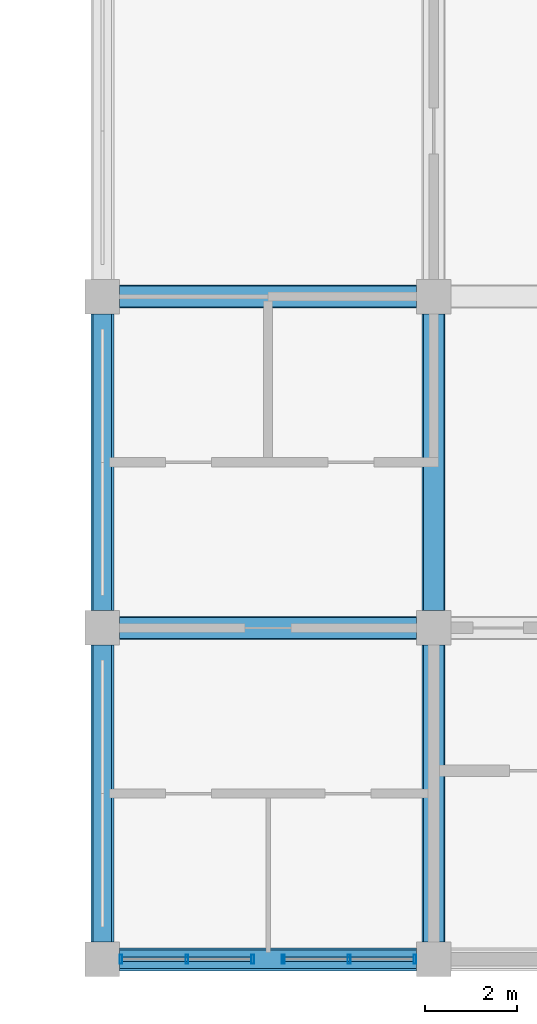
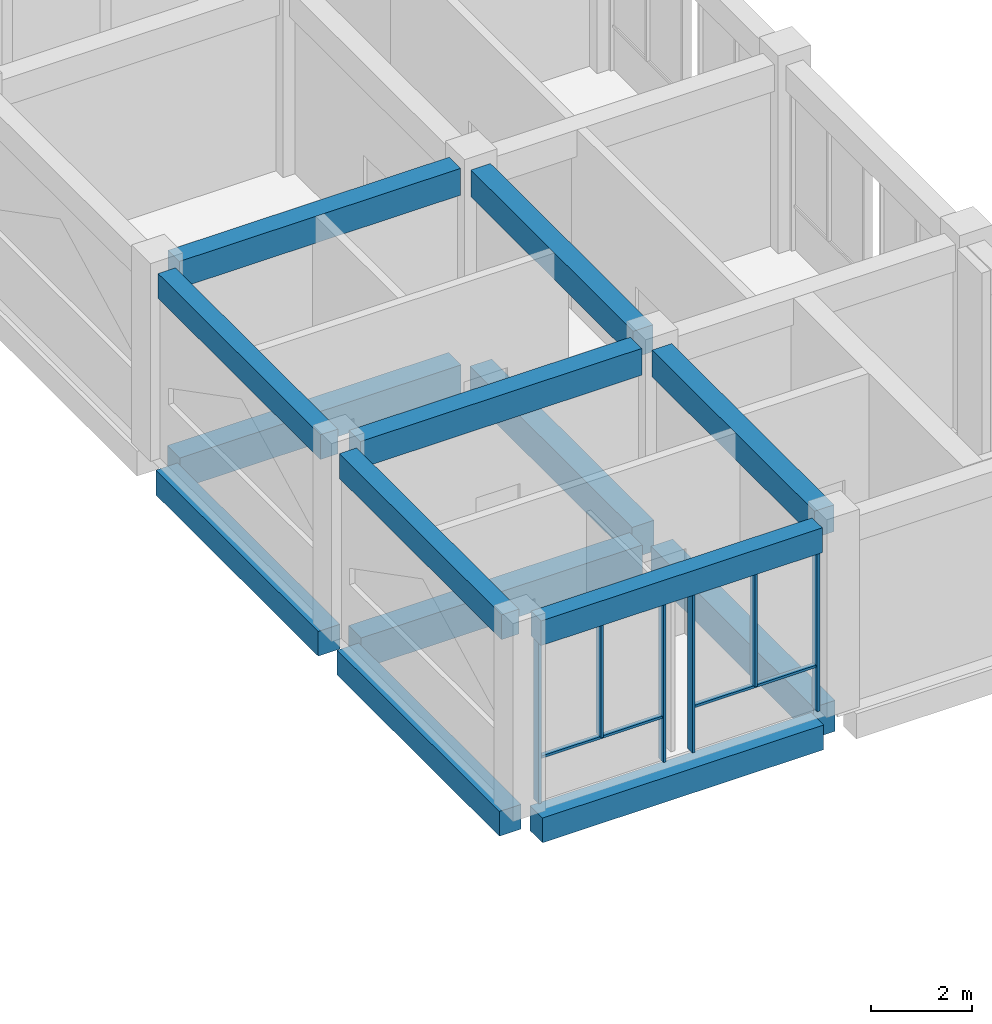
# One storey, part 15 of 39: 14 beams, 8 members, 2 elements without a shape of their own.
"""IFC4 building model written with IfcOpenShell, lengths in metres."""

from ifc_helpers import new_model, si_unit, direction, frame, origin, origin_2d, place, context, subcontext, project, spatial, rectangle, hollow_rectangle, extrude, material, material_profile, profile_set, type_object, element, aggregate, save


model = new_model("IFC4")

# Units and contexts
model_context = context("Model", 3, precision=1e-05, world=origin(), true_north=direction((0.0, 1.0)))
body_context = subcontext(model_context, "Body", "Model", "MODEL_VIEW")
ifc_project = project(units=[si_unit("LENGTHUNIT", "METRE"), si_unit("AREAUNIT", "SQUARE_METRE"), si_unit("VOLUMEUNIT", "CUBIC_METRE"), si_unit("PLANEANGLEUNIT", "RADIAN"), si_unit("MASSUNIT", "GRAM", prefix="KILO")], contexts=[model_context])

# Site, building, storey
site_placement = place(None, origin())
site = spatial("IfcSite", under=ifc_project, at=site_placement, CompositionType="ELEMENT")
building_placement = place(site_placement, origin())
building = spatial("IfcBuilding", under=site, at=building_placement, Name="Silangan Lancet Faculty of Sciences", CompositionType="ELEMENT")
storey_placement = place(building_placement, frame((0.0, 0.0, 26.39990234375)))
storey = spatial("IfcBuildingStorey", under=building, at=storey_placement, Name="L05", CompositionType="ELEMENT", Elevation=26.39990234375)

# Beams
ifc_material_1 = material(Name="Concrete C40/50", Category="concrete")
ifc_material_profile_1 = material_profile(ifc_material_1, rectangle(XDim=0.39990234375, YDim=0.60009765625, at=origin_2d()), Name="RC 400x600")
ifc_profile_set_1 = profile_set([ifc_material_profile_1], Name="Concrete C40/50")
beam_type_1 = type_object("IfcBeamType", Name="BEAM RC 400x600", PredefinedType="BEAM", material=ifc_profile_set_1)
for number, where, z_axis, x_axis, name in (
    (1, (72.375, 0.0, 4.2001953125), (1.0, 0.0, 0.0), (0.0, 1.0, 0.0), "RB-L05-11A-12A"),
    (2, (72.0, 0.375, 4.2001953125), (0.0, 1.0, 0.0), (-1.0, 0.0, 0.0), "RB-L05-11A-11B"),
    (3, (72.0, 7.574951171875, 4.2001953125), (0.0, 1.0, 0.0), (-1.0, 0.0, 0.0), "RB-L05-11B-11C"),
):
    element("IfcBeam", number, at=place(storey_placement, frame(where, z_axis=z_axis, x_axis=x_axis)), inside=storey, type_object=beam_type_1, Name=name, PredefinedType="BEAM", context=body_context, shape_type="SweptSolid", body=[
        extrude(rectangle(XDim=0.39990234375, YDim=0.60009765625, at=origin_2d()), origin(), (0.0, 0.0, 1.0), 6.449951171875),
    ])
ifc_material_2 = material(Name="Concrete C40/50", Category="concrete")
ifc_material_profile_2 = material_profile(ifc_material_2, rectangle(XDim=0.449951171875, YDim=0.64990234375, at=origin_2d()), Name="RC 450x650")
ifc_profile_set_2 = profile_set([ifc_material_profile_2], Name="Concrete C40/50")
beam_type_2 = type_object("IfcBeamType", Name="BEAM RC 450x650", PredefinedType="BEAM", material=ifc_profile_set_2)
for number, where, z_axis, x_axis, name in (
    (4, (72.375, 7.199951171875, 4.175048828125), (1.0, 0.0, 0.0), (0.0, 1.0, 0.0), "RB-L05-11B-12B"),
    (5, (72.375, 14.39990234375, 4.175048828125), (1.0, 0.0, 0.0), (0.0, 1.0, 0.0), "RB-L05-11C-12C"),
    (6, (79.199951171875, 0.375, 4.175048828125), (0.0, 1.0, 0.0), (-1.0, 0.0, 0.0), "RB-L05-12A-12B"),
    (7, (79.199951171875, 7.574951171875, 4.175048828125), (0.0, 1.0, 0.0), (-1.0, 0.0, 0.0), "RB-L05-12B-12C"),
):
    element("IfcBeam", number, at=place(storey_placement, frame(where, z_axis=z_axis, x_axis=x_axis)), inside=storey, type_object=beam_type_2, Name=name, PredefinedType="BEAM", context=body_context, shape_type="SweptSolid", body=[
        extrude(rectangle(XDim=0.449951171875, YDim=0.64990234375, at=origin_2d()), origin(), (0.0, 0.0, 1.0), 6.449951171875),
    ])
ifc_material_3 = material(Name="Concrete C40/50", Category="concrete")
ifc_material_profile_3 = material_profile(ifc_material_3, rectangle(XDim=0.5, YDim=0.60009765625, at=origin_2d()), Name="RC 500x600")
ifc_profile_set_3 = profile_set([ifc_material_profile_3], Name="Concrete C40/50")
beam_type_3 = type_object("IfcBeamType", Name="BEAM RC 500x600", PredefinedType="BEAM", material=ifc_profile_set_3)
for number, where, z_axis, x_axis, name in (
    (8, (72.375, 0.0, -0.5498046875), (1.0, 0.0, 0.0), (0.0, 1.0, 0.0), "BM-L05-11A-12A"),
    (9, (72.0, 0.375, -0.5498046875), (0.0, 1.0, 0.0), (-1.0, 0.0, 0.0), "BM-L05-11A-11B"),
    (10, (72.0, 7.574951171875, -0.5498046875), (0.0, 1.0, 0.0), (-1.0, 0.0, 0.0), "BM-L05-11B-11C"),
):
    element("IfcBeam", number, at=place(storey_placement, frame(where, z_axis=z_axis, x_axis=x_axis)), inside=storey, type_object=beam_type_3, Name=name, PredefinedType="BEAM", context=body_context, shape_type="SweptSolid", body=[
        extrude(rectangle(XDim=0.5, YDim=0.60009765625, at=origin_2d()), origin(), (0.0, 0.0, 1.0), 6.449951171875),
    ])
ifc_material_4 = material(Name="Concrete C40/50", Category="concrete")
ifc_material_profile_4 = material_profile(ifc_material_4, rectangle(XDim=0.5, YDim=0.75, at=origin_2d()), Name="RC 500x750")
ifc_profile_set_4 = profile_set([ifc_material_profile_4], Name="Concrete C40/50")
beam_type_4 = type_object("IfcBeamType", Name="BEAM RC 500x750", PredefinedType="BEAM", material=ifc_profile_set_4)
for number, where, z_axis, x_axis, name in (
    (11, (72.375, 7.199951171875, -0.625), (1.0, 0.0, 0.0), (0.0, 1.0, 0.0), "BM-L05-11B-12B"),
    (12, (72.375, 14.39990234375, -0.625), (1.0, 0.0, 0.0), (0.0, 1.0, 0.0), "BM-L05-11C-12C"),
    (13, (79.199951171875, 0.375, -0.625), (0.0, 1.0, 0.0), (-1.0, 0.0, 0.0), "BM-L05-12A-12B"),
    (14, (79.199951171875, 7.574951171875, -0.625), (0.0, 1.0, 0.0), (-1.0, 0.0, 0.0), "BM-L05-12B-12C"),
):
    element("IfcBeam", number, at=place(storey_placement, frame(where, z_axis=z_axis, x_axis=x_axis)), inside=storey, type_object=beam_type_4, Name=name, PredefinedType="BEAM", context=body_context, shape_type="SweptSolid", body=[
        extrude(rectangle(XDim=0.5, YDim=0.75, at=origin_2d()), origin(), (0.0, 0.0, 1.0), 6.449951171875),
    ])

# Curtain wall, members
ifc_material_5 = material(Name="Aluminium framed curtain wall with insulated glass", Category="aluminium")
curtain_wall_type = type_object("IfcCurtainWallType", Name="CW1 Commons and east block glazing", PredefinedType="NOTDEFINED", material=ifc_material_5)
curtain_wall_1_placement = place(storey_placement, origin())
curtain_wall_1 = element("IfcCurtainWall", 15, at=curtain_wall_1_placement, inside=storey, type_object=curtain_wall_type, Name="CW1 East block south L05 bay 1", PredefinedType="NOTDEFINED")
ifc_material_6 = material(Name="Aluminium 6063-T6 extrusion", Category="aluminium")
ifc_material_profile_5 = material_profile(ifc_material_6, hollow_rectangle(XDim=0.06005859375, YDim=0.199951171875, WallThickness=0.00390625, at=origin_2d()), Name="AL BOX 60x200x4")
ifc_profile_set_5 = profile_set([ifc_material_profile_5], Name="Aluminium 6063-T6 extrusion")
member_type_1 = type_object("IfcMemberType", Name="CM1 Mullion 60x200", PredefinedType="MULLION", material=ifc_profile_set_5)
member_1_placement = place(storey_placement, frame((72.405029296875, 0.0, 0.0), z_axis=(0.0, 0.0, 1.0), x_axis=(1.0, 0.0, 0.0)))
member_1 = element("IfcMember", 16, at=member_1_placement, type_object=member_type_1, Name="CW1 East block south L05 bay 1 mullion 1", PredefinedType="MULLION", context=body_context, shape_type="SweptSolid", body=[
    extrude(hollow_rectangle(XDim=0.06005859375, YDim=0.199951171875, WallThickness=0.00390625, at=origin_2d()), origin(), (0.0, 0.0, 1.0), 3.900146484375),
])
member_2_placement = place(storey_placement, frame((75.27001953125, 0.0, 0.0), z_axis=(0.0, 0.0, 1.0), x_axis=(1.0, 0.0, 0.0)))
member_2 = element("IfcMember", 17, at=member_2_placement, type_object=member_type_1, Name="CW1 East block south L05 bay 1 mullion 2", PredefinedType="MULLION", context=body_context, shape_type="SweptSolid", body=[
    extrude(hollow_rectangle(XDim=0.06005859375, YDim=0.199951171875, WallThickness=0.00390625, at=origin_2d()), origin(), (0.0, 0.0, 1.0), 3.900146484375),
])
member_3_placement = place(storey_placement, frame((73.837646484375, 0.0, 1.10009765625), z_axis=(0.0, 0.0, 1.0), x_axis=(1.0, 0.0, 0.0)))
member_3 = element("IfcMember", 18, at=member_3_placement, type_object=member_type_1, Name="CW1 East block south L05 bay 1 mullion 3", PredefinedType="MULLION", context=body_context, shape_type="SweptSolid", body=[
    extrude(hollow_rectangle(XDim=0.06005859375, YDim=0.199951171875, WallThickness=0.00390625, at=origin_2d()), origin(), (0.0, 0.0, 1.0), 2.800048828125),
])

curtain_wall_2_placement = place(storey_placement, origin())
curtain_wall_2 = element("IfcCurtainWall", 19, at=curtain_wall_2_placement, inside=storey, type_object=curtain_wall_type, Name="CW1 East block south L05 bay 2", PredefinedType="NOTDEFINED")
member_4_placement = place(storey_placement, frame((75.93017578125, 0.0, 0.0), z_axis=(0.0, 0.0, 1.0), x_axis=(1.0, 0.0, 0.0)))
member_4 = element("IfcMember", 20, at=member_4_placement, type_object=member_type_1, Name="CW1 East block south L05 bay 2 mullion 1", PredefinedType="MULLION", context=body_context, shape_type="SweptSolid", body=[
    extrude(hollow_rectangle(XDim=0.06005859375, YDim=0.199951171875, WallThickness=0.00390625, at=origin_2d()), origin(), (0.0, 0.0, 1.0), 3.900146484375),
])
member_5_placement = place(storey_placement, frame((78.794921875, 0.0, 0.0), z_axis=(0.0, 0.0, 1.0), x_axis=(1.0, 0.0, 0.0)))
member_5 = element("IfcMember", 21, at=member_5_placement, type_object=member_type_1, Name="CW1 East block south L05 bay 2 mullion 2", PredefinedType="MULLION", context=body_context, shape_type="SweptSolid", body=[
    extrude(hollow_rectangle(XDim=0.06005859375, YDim=0.199951171875, WallThickness=0.00390625, at=origin_2d()), origin(), (0.0, 0.0, 1.0), 3.900146484375),
])
member_6_placement = place(storey_placement, frame((77.362548828125, 0.0, 1.10009765625), z_axis=(0.0, 0.0, 1.0), x_axis=(1.0, 0.0, 0.0)))
member_6 = element("IfcMember", 22, at=member_6_placement, type_object=member_type_1, Name="CW1 East block south L05 bay 2 mullion 3", PredefinedType="MULLION", context=body_context, shape_type="SweptSolid", body=[
    extrude(hollow_rectangle(XDim=0.06005859375, YDim=0.199951171875, WallThickness=0.00390625, at=origin_2d()), origin(), (0.0, 0.0, 1.0), 2.800048828125),
])

# Member
ifc_material_7 = material(Name="Aluminium 6063-T6 extrusion", Category="aluminium")
ifc_material_profile_6 = material_profile(ifc_material_7, hollow_rectangle(XDim=0.10009765625, YDim=0.06005859375, WallThickness=0.0029296875, at=origin_2d()), Name="AL BOX 100x60x3")
ifc_profile_set_6 = profile_set([ifc_material_profile_6], Name="Aluminium 6063-T6 extrusion")
member_type_2 = type_object("IfcMemberType", Name="CT1 Transom 100x60", PredefinedType="USERDEFINED", material=ifc_profile_set_6)
member_7_placement = place(storey_placement, frame((72.43505859375, 0.0, 1.070068359375), z_axis=(1.0, 0.0, 0.0), x_axis=(0.0, 1.0, 0.0)))
member_7 = element("IfcMember", 23, at=member_7_placement, type_object=member_type_2, Name="CW1 East block south L05 bay 1 transom 1", ObjectType="TRANSOM", PredefinedType="USERDEFINED", context=body_context, shape_type="SweptSolid", body=[
    extrude(hollow_rectangle(XDim=0.10009765625, YDim=0.06005859375, WallThickness=0.0029296875, at=origin_2d()), origin(), (0.0, 0.0, 1.0), 2.804931640625),
])

aggregate(curtain_wall_1, [member_1, member_2, member_3, member_7])

member_8_placement = place(storey_placement, frame((75.960205078125, 0.0, 1.070068359375), z_axis=(1.0, 0.0, 0.0), x_axis=(0.0, 1.0, 0.0)))
member_8 = element("IfcMember", 24, at=member_8_placement, type_object=member_type_2, Name="CW1 East block south L05 bay 2 transom 1", ObjectType="TRANSOM", PredefinedType="USERDEFINED", context=body_context, shape_type="SweptSolid", body=[
    extrude(hollow_rectangle(XDim=0.10009765625, YDim=0.06005859375, WallThickness=0.0029296875, at=origin_2d()), origin(), (0.0, 0.0, 1.0), 2.8046875),
])

aggregate(curtain_wall_2, [member_4, member_5, member_6, member_8])

save(model, "model.ifc")
